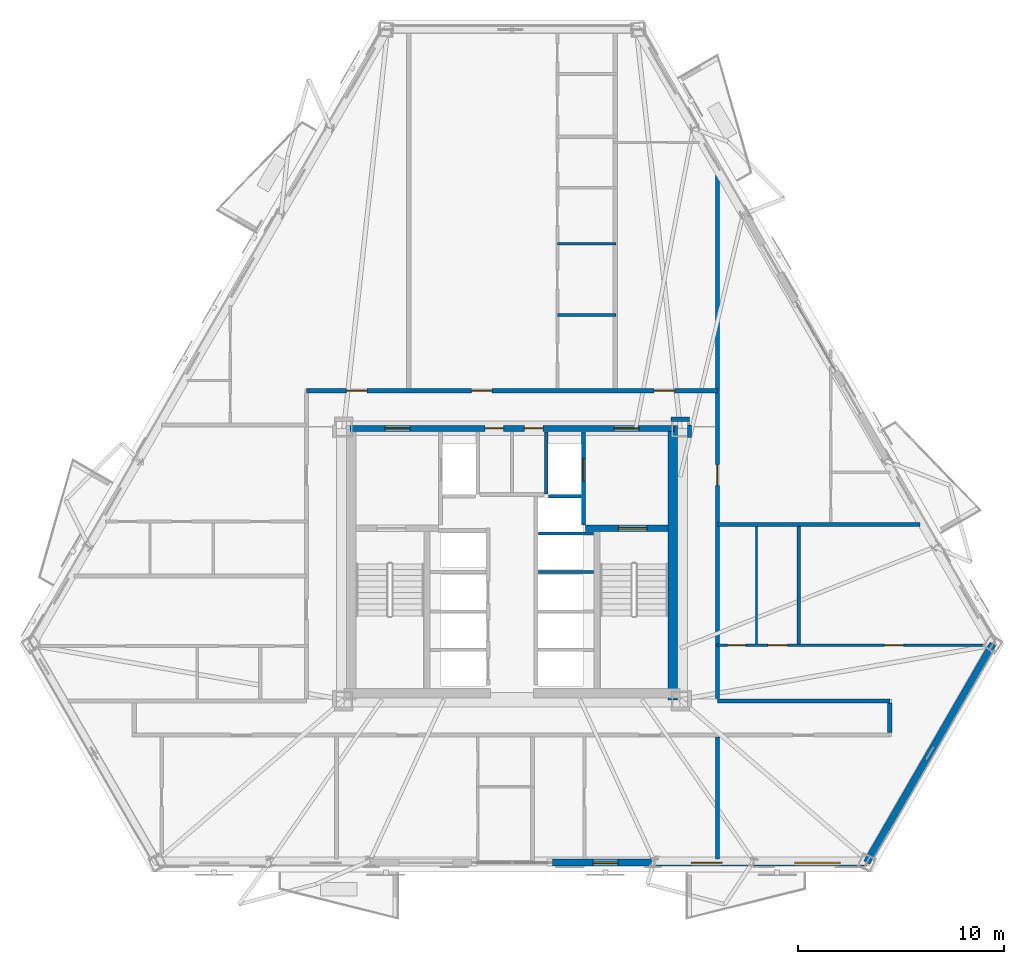
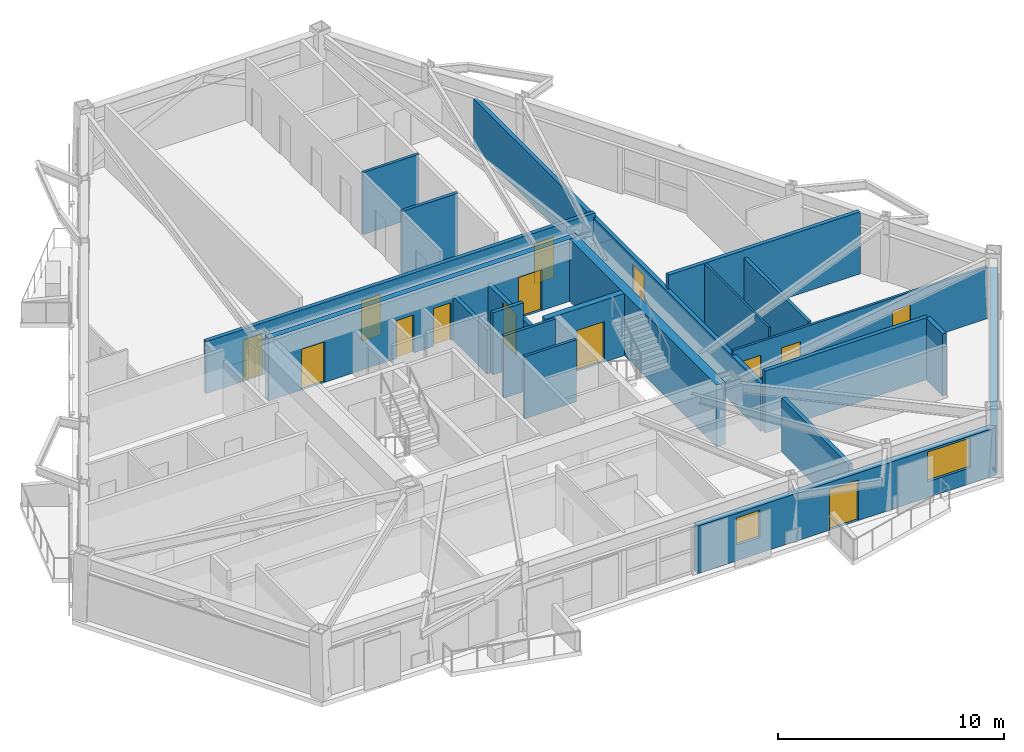
# One storey, part 9 of 15: 23 walls, 14 doors, 2 windows, 16 openings.
"""IFC4 building model written with IfcOpenShell, lengths in metres."""

from ifc_helpers import new_model, si_unit, direction, frame, frame_2d, origin, place, context, subcontext, project, spatial, rectangle, extrude, material, layer, layer_set, type_object, element, fill, save


model = new_model("IFC4")

# Units and contexts
model_context = context("Model", 3, precision=1e-05, world=origin(), true_north=direction((0.0, 1.0)))
body_context = subcontext(model_context, "Body", "Model", "MODEL_VIEW")
ifc_project = project(units=[si_unit("LENGTHUNIT", "METRE"), si_unit("AREAUNIT", "SQUARE_METRE"), si_unit("VOLUMEUNIT", "CUBIC_METRE"), si_unit("PLANEANGLEUNIT", "RADIAN"), si_unit("MASSUNIT", "GRAM", prefix="KILO")], contexts=[model_context])

# Site, building, storey
site_placement = place(None, origin())
site = spatial("IfcSite", under=ifc_project, at=site_placement, CompositionType="ELEMENT")
building_placement = place(site_placement, origin())
building = spatial("IfcBuilding", under=site, at=building_placement, Name="Oramaril Tower", CompositionType="ELEMENT")
storey_placement = place(building_placement, frame((0.0, 0.0, 93.300048828125)))
storey = spatial("IfcBuildingStorey", under=building, at=storey_placement, Name="L24", CompositionType="ELEMENT", Elevation=93.300048828125)

# Wall, openings, door, windows
ifc_material_1 = material(Name="Warm Cream Limestone", Category="masonry")
ifc_layer_1 = layer(ifc_material_1, 0.340087890625)
ifc_layer_set_1 = layer_set([ifc_layer_1], Name="WT-EXT34")
wall_type_1 = type_object("IfcWallType", Name="WT-EXT34", PredefinedType="SOLIDWALL", material=ifc_layer_set_1)
wall_1_placement = place(storey_placement, frame((39.449951171875, 3.110107421875, 0.0), z_axis=(0.0, 0.0, 1.0), x_axis=(1.0, 0.0, 0.0)))
wall_1 = element("IfcWall", 1, at=wall_1_placement, inside=storey, type_object=wall_type_1, Name="L24 Tower Limestone Facade Wall 2R", PredefinedType="SOLIDWALL", context=body_context, shape_type="SweptSolid", body=[
    extrude(rectangle(XDim=15.22802734375, YDim=0.340087890625, at=frame_2d((7.614013671875, 0.0))), origin(), (0.0, 0.0, 1.0), 2.577880859375),
])
opening_1_placement = place(wall_1_placement, frame((6.728759765625, 0.0, 0.0)))
opening_1 = element("IfcOpeningElement", 2, at=opening_1_placement, cuts=wall_1, Name="Opening D-L24-BAL-S2", PredefinedType="OPENING", context=body_context, shape_type="SweptSolid", body=[
    extrude(rectangle(XDim=1.5, YDim=2.199951171875, at=frame_2d((0.75, 1.10009765625))), frame((0.0, 0.169921875, 0.0), z_axis=(0.0, -1.0, 0.0), x_axis=(1.0, 0.0, 0.0)), (0.0, 0.0, 1.0), 0.340087890625),
])
opening_2_placement = place(wall_1_placement, frame((1.9755859375, 0.0, 0.85009765625)))
opening_2 = element("IfcOpeningElement", 3, at=opening_2_placement, cuts=wall_1, Name="Opening WN-09", PredefinedType="OPENING", context=body_context, shape_type="SweptSolid", body=[
    extrude(rectangle(XDim=1.199951171875, YDim=1.47998046875, at=frame_2d((0.60009765625, 0.739990234375))), frame((0.0, 0.169921875, 0.0), z_axis=(0.0, -1.0, 0.0), x_axis=(1.0, 0.0, 0.0)), (0.0, 0.0, 1.0), 0.340087890625),
])
opening_3_placement = place(wall_1_placement, frame((11.74560546875, 0.0, 0.85009765625)))
opening_3 = element("IfcOpeningElement", 4, at=opening_3_placement, cuts=wall_1, Name="Opening WN-04", PredefinedType="OPENING", context=body_context, shape_type="SweptSolid", body=[
    extrude(rectangle(XDim=2.199951171875, YDim=1.617919921875, at=frame_2d((1.10009765625, 0.80908203125))), frame((0.0, 0.169921875, 0.0), z_axis=(0.0, -1.0, 0.0), x_axis=(1.0, 0.0, 0.0)), (0.0, 0.0, 1.0), 0.340087890625),
])
ifc_material_2 = material(Name="Anodised Aluminium 6063-T6", Category="aluminium")
door_type_1 = type_object("IfcDoorType", Name="DT-BAL", OperationType="NOTDEFINED", PredefinedType="DOOR", material=ifc_material_2)
door_1_placement = place(opening_1_placement, origin())
door_1 = element("IfcDoor", 5, at=door_1_placement, inside=storey, type_object=door_type_1, Name="L24 Balcony Glazed Door L24-BAL-S2", OperationType="SINGLE_SWING_RIGHT", OverallHeight=2.199951171875, OverallWidth=1.5, PredefinedType="DOOR", context=body_context, shape_type="SweptSolid", body=[
    extrude(rectangle(XDim=1.5, YDim=2.199951171875, at=frame_2d((0.75, 1.10009765625))), frame((0.0, 0.02490234375, 0.0), z_axis=(0.0, -1.0, 0.0), x_axis=(1.0, 0.0, 0.0)), (0.0, 0.0, 1.0), 0.050048828125),
])
fill(opening_1, door_1)
ifc_material_3 = material(Name="Coastal Low-E Insulated Glass", Category="glass")
window_type_1 = type_object("IfcWindowType", Name="WNT-04", PartitioningType="SINGLE_PANEL", PredefinedType="WINDOW", material=ifc_material_3)
window_1_placement = place(opening_3_placement, origin())
window_1 = element("IfcWindow", 6, at=window_1_placement, inside=storey, type_object=window_type_1, Name="L24 Chicago Bay Window WN-04", OverallHeight=1.617919921875, OverallWidth=2.199951171875, PartitioningType="SINGLE_PANEL", PredefinedType="WINDOW", context=body_context, shape_type="SweptSolid", body=[
    extrude(rectangle(XDim=2.199951171875, YDim=1.617919921875, at=frame_2d((1.10009765625, 0.80908203125))), frame((0.0, 0.030029296875, 0.0), z_axis=(0.0, -1.0, 0.0), x_axis=(1.0, 0.0, 0.0)), (0.0, 0.0, 1.0), 0.06005859375),
])
fill(opening_3, window_1)
ifc_material_4 = material(Name="Coastal Low-E Insulated Glass", Category="glass")
window_type_2 = type_object("IfcWindowType", Name="WNT-09", PartitioningType="SINGLE_PANEL", PredefinedType="WINDOW", material=ifc_material_4)
window_2_placement = place(opening_2_placement, origin())
window_2 = element("IfcWindow", 7, at=window_2_placement, inside=storey, type_object=window_type_2, Name="L24 Chicago Bay Window WN-09", OverallHeight=1.47998046875, OverallWidth=1.199951171875, PartitioningType="SINGLE_PANEL", PredefinedType="WINDOW", context=body_context, shape_type="SweptSolid", body=[
    extrude(rectangle(XDim=1.199951171875, YDim=1.47998046875, at=frame_2d((0.60009765625, 0.739990234375))), frame((0.0, 0.030029296875, 0.0), z_axis=(0.0, -1.0, 0.0), x_axis=(1.0, 0.0, 0.0)), (0.0, 0.0, 1.0), 0.06005859375),
])
fill(opening_2, window_2)

# Walls
wall_2_placement = place(storey_placement, frame((54.677978515625, 3.110107421875, 0.0), z_axis=(0.0, 0.0, 1.0), x_axis=(0.500008273126, 0.86602062724, 0.0)))
element("IfcWall", 8, at=wall_2_placement, inside=storey, type_object=wall_type_1, Name="L24 Tower Limestone Facade Wall 3M", PredefinedType="SOLIDWALL", context=body_context, shape_type="SweptSolid", body=[
    extrude(rectangle(XDim=12.249267578125, YDim=0.340087890625, at=frame_2d((6.12451171875, 0.0))), origin(), (0.0, 0.0, 1.0), 2.577880859375),
])
ifc_material_5 = material(Name="Acoustic Gypsum Board Partition")
ifc_layer_2 = layer(ifc_material_5, 0.10009765625)
ifc_layer_set_2 = layer_set([ifc_layer_2], Name="WT-PT10")
wall_type_2 = type_object("IfcWallType", Name="WT-PT10", PredefinedType="PARTITIONING", material=ifc_layer_set_2)
wall_3_placement = place(storey_placement, frame((49.340087890625, 13.714111328125, 0.0), z_axis=(0.0, 0.0, 1.0), x_axis=(0.0, 1.0, 0.0)))
element("IfcWall", 9, at=wall_3_placement, inside=storey, type_object=wall_type_2, Name="L24 Interior Partition PT-10", PredefinedType="PARTITIONING", context=body_context, shape_type="SweptSolid", body=[
    extrude(rectangle(XDim=5.681884765625, YDim=0.10009765625, at=frame_2d((2.8408203125, 0.0))), origin(), (0.0, 0.0, 1.0), 3.35986328125),
])

# Wall, openings, doors
ifc_material_6 = material(Name="Acoustic Gypsum Board Partition")
ifc_layer_3 = layer(ifc_material_6, 0.1201171875)
ifc_layer_set_3 = layer_set([ifc_layer_3], Name="WT-PT12")
wall_type_3 = type_object("IfcWallType", Name="WT-PT12", PredefinedType="PARTITIONING", material=ifc_layer_set_3)
wall_4_placement = place(storey_placement, frame((47.39990234375, 13.64990234375, 0.0), z_axis=(0.0, 0.0, 1.0), x_axis=(1.0, 0.0, 0.0)))
wall_4 = element("IfcWall", 10, at=wall_4_placement, inside=storey, type_object=wall_type_3, Name="L24 Interior Partition PT-12", PredefinedType="PARTITIONING", context=body_context, shape_type="SweptSolid", body=[
    extrude(rectangle(XDim=13.009521484375, YDim=0.1201171875, at=frame_2d((6.5048828125, 0.0))), origin(), (0.0, 0.0, 1.0), 2.81396484375),
])
opening_4_placement = place(wall_4_placement, frame((0.5400390625, 0.0, 0.0)))
opening_4 = element("IfcOpeningElement", 11, at=opening_4_placement, cuts=wall_4, Name="Opening D-L24-08", PredefinedType="OPENING", context=body_context, shape_type="SweptSolid", body=[
    extrude(rectangle(XDim=0.8798828125, YDim=2.080078125, at=frame_2d((0.43994140625, 1.0400390625))), frame((0.0, 0.06005859375, 0.0), z_axis=(0.0, -1.0, 0.0), x_axis=(1.0, 0.0, 0.0)), (0.0, 0.0, 1.0), 0.1201171875),
])
opening_5_placement = place(wall_4_placement, frame((2.489990234375, 0.0, 0.0)))
opening_5 = element("IfcOpeningElement", 12, at=opening_5_placement, cuts=wall_4, Name="Opening D-L24-09", PredefinedType="OPENING", context=body_context, shape_type="SweptSolid", body=[
    extrude(rectangle(XDim=0.949951171875, YDim=2.10009765625, at=frame_2d((0.47509765625, 1.050048828125))), frame((0.0, 0.06005859375, 0.0), z_axis=(0.0, -1.0, 0.0), x_axis=(1.0, 0.0, 0.0)), (0.0, 0.0, 1.0), 0.1201171875),
])
opening_6_placement = place(wall_4_placement, frame((8.14599609375, 0.0, 0.0)))
opening_6 = element("IfcOpeningElement", 13, at=opening_6_placement, cuts=wall_4, Name="Opening D-L24-10", PredefinedType="OPENING", context=body_context, shape_type="SweptSolid", body=[
    extrude(rectangle(XDim=0.919921875, YDim=2.1201171875, at=frame_2d((0.4599609375, 1.06005859375))), frame((0.0, 0.06005859375, 0.0), z_axis=(0.0, -1.0, 0.0), x_axis=(1.0, 0.0, 0.0)), (0.0, 0.0, 1.0), 0.1201171875),
])
ifc_material_7 = material(Name="FSC Brazilian Freijo Hardwood", Category="wood")
door_type_2 = type_object("IfcDoorType", Name="DT-BATH", OperationType="NOTDEFINED", PredefinedType="DOOR", material=ifc_material_7)
door_2_placement = place(opening_4_placement, origin())
door_2 = element("IfcDoor", 14, at=door_2_placement, inside=storey, type_object=door_type_2, Name="L24 Flat L24-U6 Bathroom Door D-L24-08", OperationType="SINGLE_SWING_RIGHT", OverallHeight=2.080078125, OverallWidth=0.8798828125, PredefinedType="DOOR", context=body_context, shape_type="SweptSolid", body=[
    extrude(rectangle(XDim=0.8798828125, YDim=2.080078125, at=frame_2d((0.43994140625, 1.0400390625))), frame((0.0, 0.02490234375, 0.0), z_axis=(0.0, -1.0, 0.0), x_axis=(1.0, 0.0, 0.0)), (0.0, 0.0, 1.0), 0.050048828125),
])
fill(opening_4, door_2)
ifc_material_8 = material(Name="FSC Brazilian Freijo Hardwood", Category="wood")
door_type_3 = type_object("IfcDoorType", Name="DT-BED", OperationType="NOTDEFINED", PredefinedType="DOOR", material=ifc_material_8)
door_3_placement = place(opening_6_placement, origin())
door_3 = element("IfcDoor", 15, at=door_3_placement, inside=storey, type_object=door_type_3, Name="L24 Flat L24-U6 Master Bedroom Door D-L24-10", OperationType="SINGLE_SWING_RIGHT", OverallHeight=2.1201171875, OverallWidth=0.919921875, PredefinedType="DOOR", context=body_context, shape_type="SweptSolid", body=[
    extrude(rectangle(XDim=0.919921875, YDim=2.1201171875, at=frame_2d((0.4599609375, 1.06005859375))), frame((0.0, 0.02490234375, 0.0), z_axis=(0.0, -1.0, 0.0), x_axis=(1.0, 0.0, 0.0)), (0.0, 0.0, 1.0), 0.050048828125),
])
fill(opening_6, door_3)
ifc_material_9 = material(Name="FSC Brazilian Freijo Hardwood", Category="wood")
door_type_4 = type_object("IfcDoorType", Name="DT-STDY", OperationType="NOTDEFINED", PredefinedType="DOOR", material=ifc_material_9)
door_4_placement = place(opening_5_placement, origin())
door_4 = element("IfcDoor", 16, at=door_4_placement, inside=storey, type_object=door_type_4, Name="L24 Flat L24-U6 Kitchen Door D-L24-09", OperationType="SINGLE_SWING_LEFT", OverallHeight=2.10009765625, OverallWidth=0.949951171875, PredefinedType="DOOR", context=body_context, shape_type="SweptSolid", body=[
    extrude(rectangle(XDim=0.949951171875, YDim=2.10009765625, at=frame_2d((0.47509765625, 1.050048828125))), frame((0.0, 0.02490234375, 0.0), z_axis=(0.0, -1.0, 0.0), x_axis=(1.0, 0.0, 0.0)), (0.0, 0.0, 1.0), 0.050048828125),
])
fill(opening_5, door_4)

# Walls
ifc_material_10 = material(Name="Acoustic Gypsum Board Partition")
ifc_layer_4 = layer(ifc_material_10, 0.139892578125)
ifc_layer_set_4 = layer_set([ifc_layer_4], Name="WT-PT14")
wall_type_4 = type_object("IfcWallType", Name="WT-PT14", PredefinedType="PARTITIONING", material=ifc_layer_set_4)
for number, where, z_axis, x_axis, name in (
    (17, (38.780029296875, 17.199951171875, 0.0), (0.0, 0.0, 1.0), (1.0, 0.0, 0.0), "L24 East Lift Divider"),
    (18, (38.780029296875, 19.050048828125, 0.0), (0.0, 0.0, 1.0), (1.0, 0.0, 0.0), "L24 East Lift Divider"),
):
    element("IfcWall", number, at=place(storey_placement, frame(where, z_axis=z_axis, x_axis=x_axis)), inside=storey, type_object=wall_type_4, Name=name, PredefinedType="PARTITIONING", context=body_context, shape_type="SweptSolid", body=[
        extrude(rectangle(XDim=2.659912109375, YDim=0.139892578125, at=frame_2d((1.330078125, 0.0))), origin(), (0.0, 0.0, 1.0), 3.35986328125),
    ])
wall_5_placement = place(storey_placement, frame((39.699951171875, 33.090087890625, 0.0), z_axis=(0.0, 0.0, 1.0), x_axis=(1.0, 0.0, 0.0)))
element("IfcWall", 19, at=wall_5_placement, inside=storey, type_object=wall_type_4, Name="L24 Interior Partition PT-14", PredefinedType="PARTITIONING", context=body_context, shape_type="SweptSolid", body=[
    extrude(rectangle(XDim=2.85009765625, YDim=0.139892578125, at=frame_2d((1.425048828125, 0.0))), origin(), (0.0, 0.0, 1.0), 3.35986328125),
])
ifc_material_11 = material(Name="Acoustic Gypsum Board Partition")
ifc_layer_5 = layer(ifc_material_11, 0.159912109375)
ifc_layer_set_5 = layer_set([ifc_layer_5], Name="WT-PT16")
wall_type_5 = type_object("IfcWallType", Name="WT-PT16", PredefinedType="PARTITIONING", material=ifc_layer_set_5)
wall_6_placement = place(storey_placement, frame((39.699951171875, 29.639892578125, 0.0), z_axis=(0.0, 0.0, 1.0), x_axis=(1.0, 0.0, 0.0)))
element("IfcWall", 20, at=wall_6_placement, inside=storey, type_object=wall_type_5, Name="L24 Interior Partition PT-16", PredefinedType="PARTITIONING", context=body_context, shape_type="SweptSolid", body=[
    extrude(rectangle(XDim=2.85009765625, YDim=0.159912109375, at=frame_2d((1.425048828125, 0.0))), origin(), (0.0, 0.0, 1.0), 3.35986328125),
])
wall_7_placement = place(storey_placement, frame((51.389892578125, 13.714111328125, 0.0), z_axis=(0.0, 0.0, 1.0), x_axis=(0.0, 1.0, 0.0)))
element("IfcWall", 21, at=wall_7_placement, inside=storey, type_object=wall_type_5, Name="L24 Interior Partition PT-16", PredefinedType="PARTITIONING", context=body_context, shape_type="SweptSolid", body=[
    extrude(rectangle(XDim=5.681884765625, YDim=0.159912109375, at=frame_2d((2.8408203125, 0.0))), origin(), (0.0, 0.0, 1.0), 2.946044921875),
])
ifc_material_12 = material(Name="Autoclaved Cellular Concrete Block", Category="concrete")
ifc_layer_6 = layer(ifc_material_12, 0.179931640625)
ifc_layer_set_6 = layer_set([ifc_layer_6], Name="WT-PT18")
wall_type_6 = type_object("IfcWallType", Name="WT-PT18", PredefinedType="PARTITIONING", material=ifc_layer_set_6)
wall_8_placement = place(storey_placement, frame((39.159912109375, 20.9599609375, 0.0), z_axis=(0.0, 0.0, 1.0), x_axis=(0.0, 1.0, 0.0)))
element("IfcWall", 22, at=wall_8_placement, inside=storey, type_object=wall_type_6, Name="L24 FL-2 West Shaft Wall", PredefinedType="PARTITIONING", context=body_context, shape_type="SweptSolid", body=[
    extrude(rectangle(XDim=3.02001953125, YDim=0.179931640625, at=frame_2d((1.510009765625, 0.0))), origin(), (0.0, 0.0, 1.0), 2.39990234375),
])
wall_9_placement = place(storey_placement, frame((39.260009765625, 20.860107421875, 0.0), z_axis=(0.0, 0.0, 1.0), x_axis=(1.0, 0.0, 0.0)))
element("IfcWall", 23, at=wall_9_placement, inside=storey, type_object=wall_type_6, Name="L24 FL-2 South Shaft Wall", PredefinedType="PARTITIONING", context=body_context, shape_type="SweptSolid", body=[
    extrude(rectangle(XDim=1.580078125, YDim=0.179931640625, at=frame_2d((0.7900390625, 0.0))), origin(), (0.0, 0.0, 1.0), 3.35986328125),
])
ifc_material_13 = material(Name="Autoclaved Cellular Concrete Block", Category="concrete")
ifc_layer_7 = layer(ifc_material_13, 0.199951171875)
ifc_layer_set_7 = layer_set([ifc_layer_7], Name="WT-PT20")
wall_type_7 = type_object("IfcWallType", Name="WT-PT20", PredefinedType="PARTITIONING", material=ifc_layer_set_7)
wall_10_placement = place(storey_placement, frame((47.449951171875, 10.949951171875, 0.0), z_axis=(0.0, 0.0, 1.0), x_axis=(1.0, 0.0, 0.0)))
element("IfcWall", 24, at=wall_10_placement, inside=storey, type_object=wall_type_7, Name="L24 Interior Partition PT-20", PredefinedType="PARTITIONING", context=body_context, shape_type="SweptSolid", body=[
    extrude(rectangle(XDim=8.35009765625, YDim=0.199951171875, at=frame_2d((4.175048828125, 0.0))), origin(), (0.0, 0.0, 1.0), 3.35986328125),
])
wall_11_placement = place(storey_placement, frame((47.449951171875, 19.5, 0.0), z_axis=(0.0, 0.0, 1.0), x_axis=(1.0, 0.0, 0.0)))
element("IfcWall", 25, at=wall_11_placement, inside=storey, type_object=wall_type_7, Name="L24 Interior Partition PT-20", PredefinedType="PARTITIONING", context=body_context, shape_type="SweptSolid", body=[
    extrude(rectangle(XDim=9.81396484375, YDim=0.199951171875, at=frame_2d((4.906982421875, 0.0))), origin(), (0.0, 0.0, 1.0), 3.35986328125),
])
wall_12_placement = place(storey_placement, frame((45.2099609375, 24.590087890625, 0.0), z_axis=(0.0, 0.0, 1.0), x_axis=(1.0, 0.0, 0.0)))
element("IfcWall", 26, at=wall_12_placement, inside=storey, type_object=wall_type_7, Name="L24 Interior Partition PT-20", PredefinedType="PARTITIONING", context=body_context, shape_type="SweptSolid", body=[
    extrude(rectangle(XDim=0.880126953125, YDim=0.199951171875, at=frame_2d((0.43994140625, 0.0))), origin(), (0.0, 0.0, 1.0), 2.81396484375),
])

# Wall, openings, doors
wall_13_placement = place(storey_placement, frame((27.550048828125, 25.969970703125, 0.0), z_axis=(0.0, 0.0, 1.0), x_axis=(1.0, 0.0, 0.0)))
wall_13 = element("IfcWall", 27, at=wall_13_placement, inside=storey, type_object=wall_type_7, Name="L24 Interior Partition PT-20", PredefinedType="PARTITIONING", context=body_context, shape_type="SweptSolid", body=[
    extrude(rectangle(XDim=19.89990234375, YDim=0.199951171875, at=frame_2d((9.949951171875, 0.0))), origin(), (0.0, 0.0, 1.0), 2.81396484375),
])
opening_7_placement = place(wall_13_placement, frame((1.921875, 0.0, 0.0)))
opening_7 = element("IfcOpeningElement", 28, at=opening_7_placement, cuts=wall_13, Name="Opening D-L24-14", PredefinedType="OPENING", context=body_context, shape_type="SweptSolid", body=[
    extrude(rectangle(XDim=1.0, YDim=2.179931640625, at=frame_2d((0.5, 1.08984375))), frame((0.0, 0.10009765625, 0.0), z_axis=(0.0, -1.0, 0.0), x_axis=(1.0, 0.0, 0.0)), (0.0, 0.0, 1.0), 0.199951171875),
])
opening_8_placement = place(wall_13_placement, frame((7.976806640625, 0.0, 0.0)))
opening_8 = element("IfcOpeningElement", 29, at=opening_8_placement, cuts=wall_13, Name="Opening D-L24-15", PredefinedType="OPENING", context=body_context, shape_type="SweptSolid", body=[
    extrude(rectangle(XDim=1.0, YDim=2.179931640625, at=frame_2d((0.5, 1.08984375))), frame((0.0, 0.10009765625, 0.0), z_axis=(0.0, -1.0, 0.0), x_axis=(1.0, 0.0, 0.0)), (0.0, 0.0, 1.0), 0.199951171875),
])
opening_9_placement = place(wall_13_placement, frame((16.829833984375, 0.0, 0.0)))
opening_9 = element("IfcOpeningElement", 30, at=opening_9_placement, cuts=wall_13, Name="Opening D-L24-16", PredefinedType="OPENING", context=body_context, shape_type="SweptSolid", body=[
    extrude(rectangle(XDim=1.0, YDim=2.179931640625, at=frame_2d((0.5, 1.08984375))), frame((0.0, 0.10009765625, 0.0), z_axis=(0.0, -1.0, 0.0), x_axis=(1.0, 0.0, 0.0)), (0.0, 0.0, 1.0), 0.199951171875),
])
ifc_material_14 = material(Name="FSC Brazilian Freijo Hardwood", Category="wood")
door_type_5 = type_object("IfcDoorType", Name="DT-APT", OperationType="NOTDEFINED", PredefinedType="DOOR", material=ifc_material_14)
door_5_placement = place(opening_7_placement, origin())
door_5 = element("IfcDoor", 31, at=door_5_placement, inside=storey, type_object=door_type_5, Name="L24 Flat L24-U8 Studio Apartment Door D-L24-14", OperationType="SINGLE_SWING_RIGHT", OverallHeight=2.179931640625, OverallWidth=1.0, PredefinedType="DOOR", context=body_context, shape_type="SweptSolid", body=[
    extrude(rectangle(XDim=1.0, YDim=2.179931640625, at=frame_2d((0.5, 1.08984375))), frame((0.0, 0.02490234375, 0.0), z_axis=(0.0, -1.0, 0.0), x_axis=(1.0, 0.0, 0.0)), (0.0, 0.0, 1.0), 0.050048828125),
])
fill(opening_7, door_5)
door_6_placement = place(opening_8_placement, origin())
door_6 = element("IfcDoor", 32, at=door_6_placement, inside=storey, type_object=door_type_5, Name="L24 Flat L24-U9 Penthouse 2-Bedroom Living and Dining Room Door D-L24-15", OperationType="SINGLE_SWING_LEFT", OverallHeight=2.179931640625, OverallWidth=1.0, PredefinedType="DOOR", context=body_context, shape_type="SweptSolid", body=[
    extrude(rectangle(XDim=1.0, YDim=2.179931640625, at=frame_2d((0.5, 1.08984375))), frame((0.0, 0.02490234375, 0.0), z_axis=(0.0, -1.0, 0.0), x_axis=(1.0, 0.0, 0.0)), (0.0, 0.0, 1.0), 0.050048828125),
])
fill(opening_8, door_6)
door_7_placement = place(opening_9_placement, origin())
door_7 = element("IfcDoor", 33, at=door_7_placement, inside=storey, type_object=door_type_5, Name="L24 Flat L24-U10 Kitchen and Studio Apartment Door D-L24-16", OperationType="SINGLE_SWING_RIGHT", OverallHeight=2.179931640625, OverallWidth=1.0, PredefinedType="DOOR", context=body_context, shape_type="SweptSolid", body=[
    extrude(rectangle(XDim=1.0, YDim=2.179931640625, at=frame_2d((0.5, 1.08984375))), frame((0.0, 0.02490234375, 0.0), z_axis=(0.0, -1.0, 0.0), x_axis=(1.0, 0.0, 0.0)), (0.0, 0.0, 1.0), 0.050048828125),
])
fill(opening_9, door_7)

# Walls
wall_14_placement = place(storey_placement, frame((46.090087890625, 23.705078125, 0.0), z_axis=(0.0, 0.0, 1.0), x_axis=(0.0, 1.0, 0.0)))
element("IfcWall", 34, at=wall_14_placement, inside=storey, type_object=wall_type_7, Name="L24 Interior Partition PT-20", PredefinedType="PARTITIONING", context=body_context, shape_type="SweptSolid", body=[
    extrude(rectangle(XDim=0.614990234375, YDim=0.199951171875, at=frame_2d((0.3076171875, 0.0))), origin(), (0.0, 0.0, 1.0), 2.946044921875),
])
wall_15_placement = place(storey_placement, frame((47.449951171875, 3.283935546875, 0.0), z_axis=(0.0, 0.0, 1.0), x_axis=(0.0, 1.0, 0.0)))
element("IfcWall", 35, at=wall_15_placement, inside=storey, type_object=wall_type_7, Name="L24 Interior Partition PT-20", PredefinedType="PARTITIONING", context=body_context, shape_type="SweptSolid", body=[
    extrude(rectangle(XDim=5.912109375, YDim=0.199951171875, at=frame_2d((2.9560546875, 0.0))), origin(), (0.0, 0.0, 1.0), 2.946044921875),
])

# Wall, opening, door
wall_16_placement = place(storey_placement, frame((47.449951171875, 11.053955078125, 0.0), z_axis=(0.0, 0.0, 1.0), x_axis=(0.0, 1.0, 0.0)))
wall_16 = element("IfcWall", 36, at=wall_16_placement, inside=storey, type_object=wall_type_7, Name="L24 Interior Partition PT-20", PredefinedType="PARTITIONING", context=body_context, shape_type="SweptSolid", body=[
    extrude(rectangle(XDim=25.444091796875, YDim=0.199951171875, at=frame_2d((12.72216796875, 0.0))), origin(), (0.0, 0.0, 1.0), 2.577880859375),
])
opening_10_placement = place(wall_16_placement, frame((10.3349609375, 0.0, 0.0)))
opening_10 = element("IfcOpeningElement", 37, at=opening_10_placement, cuts=wall_16, Name="Opening D-L24-32", PredefinedType="OPENING", context=body_context, shape_type="SweptSolid", body=[
    extrude(rectangle(XDim=1.0, YDim=2.179931640625, at=frame_2d((0.5, 1.08984375))), frame((0.0, 0.10009765625, 0.0), z_axis=(0.0, -1.0, 0.0), x_axis=(1.0, 0.0, 0.0)), (0.0, 0.0, 1.0), 0.199951171875),
])
door_8_placement = place(opening_10_placement, origin())
door_8 = element("IfcDoor", 38, at=door_8_placement, inside=storey, type_object=door_type_5, Name="L24 Flat L24-U7 Studio Apartment Door D-L24-32", OperationType="SINGLE_SWING_RIGHT", OverallHeight=2.179931640625, OverallWidth=1.0, PredefinedType="DOOR", context=body_context, shape_type="SweptSolid", body=[
    extrude(rectangle(XDim=1.0, YDim=2.179931640625, at=frame_2d((0.5, 1.08984375))), frame((0.0, 0.02490234375, 0.0), z_axis=(0.0, -1.0, 0.0), x_axis=(1.0, 0.0, 0.0)), (0.0, 0.0, 1.0), 0.050048828125),
])
fill(opening_10, door_8)

# Wall
wall_17_placement = place(storey_placement, frame((55.800048828125, 9.404052734375, 0.0), z_axis=(0.0, 0.0, 1.0), x_axis=(0.0, 1.0, 0.0)))
element("IfcWall", 39, at=wall_17_placement, inside=storey, type_object=wall_type_7, Name="L24 Interior Partition PT-20", PredefinedType="PARTITIONING", context=body_context, shape_type="SweptSolid", body=[
    extrude(rectangle(XDim=1.44189453125, YDim=0.199951171875, at=frame_2d((0.720947265625, 0.0))), origin(), (0.0, 0.0, 1.0), 3.35986328125),
])

# Wall, openings, doors
ifc_material_15 = material(Name="Concrete C50/60", Category="concrete")
ifc_layer_8 = layer(ifc_material_15, 0.300048828125)
ifc_layer_set_8 = layer_set([ifc_layer_8], Name="WT-SH30")
wall_type_8 = type_object("IfcWallType", Name="WT-SH30", PredefinedType="SHEAR", material=ifc_layer_set_8)
wall_18_placement = place(storey_placement, frame((29.64990234375, 24.14990234375, 0.0), z_axis=(0.0, 0.0, 1.0), x_axis=(1.0, 0.0, 0.0)))
wall_18 = element("IfcWall", 40, at=wall_18_placement, inside=storey, type_object=wall_type_8, Name="L24 Core Shear Wall CW-N", PredefinedType="SHEAR", context=body_context, shape_type="SweptSolid", body=[
    extrude(rectangle(XDim=15.7001953125, YDim=0.300048828125, at=frame_2d((7.85009765625, 0.0))), origin(), (0.0, 0.0, 1.0), 3.35986328125),
])
opening_11_placement = place(wall_18_placement, frame((1.699951171875, 0.0, 0.0)))
opening_11 = element("IfcOpeningElement", 41, at=opening_11_placement, cuts=wall_18, Name="Opening D-L24-FFL1", PredefinedType="OPENING", context=body_context, shape_type="SweptSolid", body=[
    extrude(rectangle(XDim=1.199951171875, YDim=2.199951171875, at=frame_2d((0.60009765625, 1.10009765625))), frame((0.0, 0.14990234375, 0.0), z_axis=(0.0, -1.0, 0.0), x_axis=(1.0, 0.0, 0.0)), (0.0, 0.0, 1.0), 0.300048828125),
])
opening_12_placement = place(wall_18_placement, frame((12.800048828125, 0.0, 0.0)))
opening_12 = element("IfcOpeningElement", 42, at=opening_12_placement, cuts=wall_18, Name="Opening D-L24-FFL2", PredefinedType="OPENING", context=body_context, shape_type="SweptSolid", body=[
    extrude(rectangle(XDim=1.199951171875, YDim=2.199951171875, at=frame_2d((0.60009765625, 1.10009765625))), frame((0.0, 0.14990234375, 0.0), z_axis=(0.0, -1.0, 0.0), x_axis=(1.0, 0.0, 0.0)), (0.0, 0.0, 1.0), 0.300048828125),
])
opening_13_placement = place(wall_18_placement, frame((6.550048828125, 0.0, 0.0)))
opening_13 = element("IfcOpeningElement", 43, at=opening_13_placement, cuts=wall_18, Name="Opening D-L24-SV1", PredefinedType="OPENING", context=body_context, shape_type="SweptSolid", body=[
    extrude(rectangle(XDim=0.89990234375, YDim=2.050048828125, at=frame_2d((0.449951171875, 1.02490234375))), frame((0.0, 0.14990234375, 0.0), z_axis=(0.0, -1.0, 0.0), x_axis=(1.0, 0.0, 0.0)), (0.0, 0.0, 1.0), 0.300048828125),
])
opening_14_placement = place(wall_18_placement, frame((8.449951171875, 0.0, 0.0)))
opening_14 = element("IfcOpeningElement", 44, at=opening_14_placement, cuts=wall_18, Name="Opening D-L24-SV2", PredefinedType="OPENING", context=body_context, shape_type="SweptSolid", body=[
    extrude(rectangle(XDim=0.89990234375, YDim=2.050048828125, at=frame_2d((0.449951171875, 1.02490234375))), frame((0.0, 0.14990234375, 0.0), z_axis=(0.0, -1.0, 0.0), x_axis=(1.0, 0.0, 0.0)), (0.0, 0.0, 1.0), 0.300048828125),
])
ifc_material_16 = material(Name="Painted Galvanised Steel", Category="steel")
door_type_6 = type_object("IfcDoorType", Name="DT-FFL", OperationType="NOTDEFINED", PredefinedType="DOOR", material=ifc_material_16)
door_9_placement = place(opening_11_placement, origin())
door_9 = element("IfcDoor", 45, at=door_9_placement, inside=storey, type_object=door_type_6, Name="L24 Firefighting Lobby 1 Fire Door", OperationType="SINGLE_SWING_LEFT", OverallHeight=2.199951171875, OverallWidth=1.199951171875, PredefinedType="DOOR", context=body_context, shape_type="SweptSolid", body=[
    extrude(rectangle(XDim=1.199951171875, YDim=2.199951171875, at=frame_2d((0.60009765625, 1.10009765625))), frame((0.0, 0.02490234375, 0.0), z_axis=(0.0, -1.0, 0.0), x_axis=(1.0, 0.0, 0.0)), (0.0, 0.0, 1.0), 0.050048828125),
])
fill(opening_11, door_9)
door_10_placement = place(opening_12_placement, origin())
door_10 = element("IfcDoor", 46, at=door_10_placement, inside=storey, type_object=door_type_6, Name="L24 Firefighting Lobby 2 Fire Door", OperationType="SINGLE_SWING_RIGHT", OverallHeight=2.199951171875, OverallWidth=1.199951171875, PredefinedType="DOOR", context=body_context, shape_type="SweptSolid", body=[
    extrude(rectangle(XDim=1.199951171875, YDim=2.199951171875, at=frame_2d((0.60009765625, 1.10009765625))), frame((0.0, 0.02490234375, 0.0), z_axis=(0.0, -1.0, 0.0), x_axis=(1.0, 0.0, 0.0)), (0.0, 0.0, 1.0), 0.050048828125),
])
fill(opening_12, door_10)
ifc_material_17 = material(Name="Painted Galvanised Steel", Category="steel")
door_type_7 = type_object("IfcDoorType", Name="DT-SVC", OperationType="NOTDEFINED", PredefinedType="DOOR", material=ifc_material_17)
door_11_placement = place(opening_13_placement, origin())
door_11 = element("IfcDoor", 47, at=door_11_placement, inside=storey, type_object=door_type_7, Name="L24 Core Service Store 1 Door", OperationType="SINGLE_SWING_LEFT", OverallHeight=2.050048828125, OverallWidth=0.89990234375, PredefinedType="DOOR", context=body_context, shape_type="SweptSolid", body=[
    extrude(rectangle(XDim=0.89990234375, YDim=2.050048828125, at=frame_2d((0.449951171875, 1.02490234375))), frame((0.0, 0.02490234375, 0.0), z_axis=(0.0, -1.0, 0.0), x_axis=(1.0, 0.0, 0.0)), (0.0, 0.0, 1.0), 0.050048828125),
])
fill(opening_13, door_11)
door_12_placement = place(opening_14_placement, origin())
door_12 = element("IfcDoor", 48, at=door_12_placement, inside=storey, type_object=door_type_7, Name="L24 Core Service Store 2 Door", OperationType="SINGLE_SWING_RIGHT", OverallHeight=2.050048828125, OverallWidth=0.89990234375, PredefinedType="DOOR", context=body_context, shape_type="SweptSolid", body=[
    extrude(rectangle(XDim=0.89990234375, YDim=2.050048828125, at=frame_2d((0.449951171875, 1.02490234375))), frame((0.0, 0.02490234375, 0.0), z_axis=(0.0, -1.0, 0.0), x_axis=(1.0, 0.0, 0.0)), (0.0, 0.0, 1.0), 0.050048828125),
])
fill(opening_14, door_12)

# Wall, opening, door
wall_19_placement = place(storey_placement, frame((41.050048828125, 19.31005859375, 0.0), z_axis=(0.0, 0.0, 1.0), x_axis=(1.0, 0.0, 0.0)))
wall_19 = element("IfcWall", 49, at=wall_19_placement, inside=storey, type_object=wall_type_8, Name="L24 Core Shear Wall CW-ST2N", PredefinedType="SHEAR", context=body_context, shape_type="SweptSolid", body=[
    extrude(rectangle(XDim=4.010009765625, YDim=0.300048828125, at=frame_2d((2.0048828125, 0.0))), origin(), (0.0, 0.0, 1.0), 3.35986328125),
])
opening_15_placement = place(wall_19_placement, frame((1.60009765625, 0.0, 0.0)))
opening_15 = element("IfcOpeningElement", 50, at=opening_15_placement, cuts=wall_19, Name="Opening D-L24-ST2", PredefinedType="OPENING", context=body_context, shape_type="SweptSolid", body=[
    extrude(rectangle(XDim=1.39990234375, YDim=2.199951171875, at=frame_2d((0.699951171875, 1.10009765625))), frame((0.0, 0.14990234375, 0.0), z_axis=(0.0, -1.0, 0.0), x_axis=(1.0, 0.0, 0.0)), (0.0, 0.0, 1.0), 0.300048828125),
])
ifc_material_18 = material(Name="Painted Galvanised Steel", Category="steel")
door_type_8 = type_object("IfcDoorType", Name="DT-ST", OperationType="NOTDEFINED", PredefinedType="DOOR", material=ifc_material_18)
door_13_placement = place(opening_15_placement, origin())
door_13 = element("IfcDoor", 51, at=door_13_placement, inside=storey, type_object=door_type_8, Name="L24 Protected Stair ST-2 Fire Door", OperationType="SINGLE_SWING_RIGHT", OverallHeight=2.199951171875, OverallWidth=1.39990234375, PredefinedType="DOOR", context=body_context, shape_type="SweptSolid", body=[
    extrude(rectangle(XDim=1.39990234375, YDim=2.199951171875, at=frame_2d((0.699951171875, 1.10009765625))), frame((0.0, 0.02490234375, 0.0), z_axis=(0.0, -1.0, 0.0), x_axis=(1.0, 0.0, 0.0)), (0.0, 0.0, 1.0), 0.050048828125),
])
fill(opening_15, door_13)

# Wall
ifc_material_19 = material(Name="Concrete C50/60", Category="concrete")
ifc_layer_9 = layer(ifc_material_19, 0.449951171875)
ifc_layer_set_9 = layer_set([ifc_layer_9], Name="WT-SH45")
wall_type_9 = type_object("IfcWallType", Name="WT-SH45", PredefinedType="SHEAR", material=ifc_layer_set_9)
wall_20_placement = place(storey_placement, frame((45.284912109375, 11.0, 0.0), z_axis=(0.0, 0.0, 1.0), x_axis=(0.0, 1.0, 0.0)))
element("IfcWall", 52, at=wall_20_placement, inside=storey, type_object=wall_type_9, Name="L24 Core Shear Wall CW-E", PredefinedType="SHEAR", context=body_context, shape_type="SweptSolid", body=[
    extrude(rectangle(XDim=13.300048828125, YDim=0.449951171875, at=frame_2d((6.64990234375, 0.0))), origin(), (0.0, 0.0, 1.0), 3.35986328125),
])

# Wall, opening, door
ifc_material_20 = material(Name="Autoclaved Cellular Concrete Block", Category="concrete")
ifc_layer_10 = layer(ifc_material_20, 0.199951171875)
ifc_layer_set_10 = layer_set([ifc_layer_10], Name="WT-SHF20")
wall_type_10 = type_object("IfcWallType", Name="WT-SHF20", PredefinedType="PARTITIONING", material=ifc_layer_set_10)
wall_21_placement = place(storey_placement, frame((40.9599609375, 19.47998046875, 0.0), z_axis=(0.0, 0.0, 1.0), x_axis=(0.0, 1.0, 0.0)))
wall_21 = element("IfcWall", 53, at=wall_21_placement, inside=storey, type_object=wall_type_10, Name="L24 FL-2 Lobby Shaft Wall", PredefinedType="PARTITIONING", context=body_context, shape_type="SweptSolid", body=[
    extrude(rectangle(XDim=4.5, YDim=0.199951171875, at=frame_2d((2.25, 0.0))), origin(), (0.0, 0.0, 1.0), 2.39990234375),
])
opening_16_placement = place(wall_21_placement, frame((2.1201171875, 0.0, 0.0)))
opening_16 = element("IfcOpeningElement", 54, at=opening_16_placement, cuts=wall_21, Name="Opening LD-L24-FL-2", PredefinedType="OPENING", context=body_context, shape_type="SweptSolid", body=[
    extrude(rectangle(XDim=1.10009765625, YDim=2.199951171875, at=frame_2d((0.550048828125, 1.10009765625))), frame((0.0, 0.10009765625, 0.0), z_axis=(0.0, -1.0, 0.0), x_axis=(1.0, 0.0, 0.0)), (0.0, 0.0, 1.0), 0.199951171875),
])
ifc_material_21 = material(Name="Stainless Steel 316L", Category="steel")
door_type_9 = type_object("IfcDoorType", Name="DT-LD1", OperationType="NOTDEFINED", PredefinedType="DOOR", material=ifc_material_21)
door_14_placement = place(opening_16_placement, origin())
door_14 = element("IfcDoor", 55, at=door_14_placement, inside=storey, type_object=door_type_9, Name="L24 Lift FL-2 Sliding Landing Door", OperationType="SLIDING_TO_RIGHT", OverallHeight=2.199951171875, OverallWidth=1.10009765625, PredefinedType="DOOR", context=body_context, shape_type="SweptSolid", body=[
    extrude(rectangle(XDim=1.10009765625, YDim=2.199951171875, at=frame_2d((0.550048828125, 1.10009765625))), frame((0.0, 0.02490234375, 0.0), z_axis=(0.0, -1.0, 0.0), x_axis=(1.0, 0.0, 0.0)), (0.0, 0.0, 1.0), 0.050048828125),
])
fill(opening_16, door_14)

save(model, "model.ifc")
